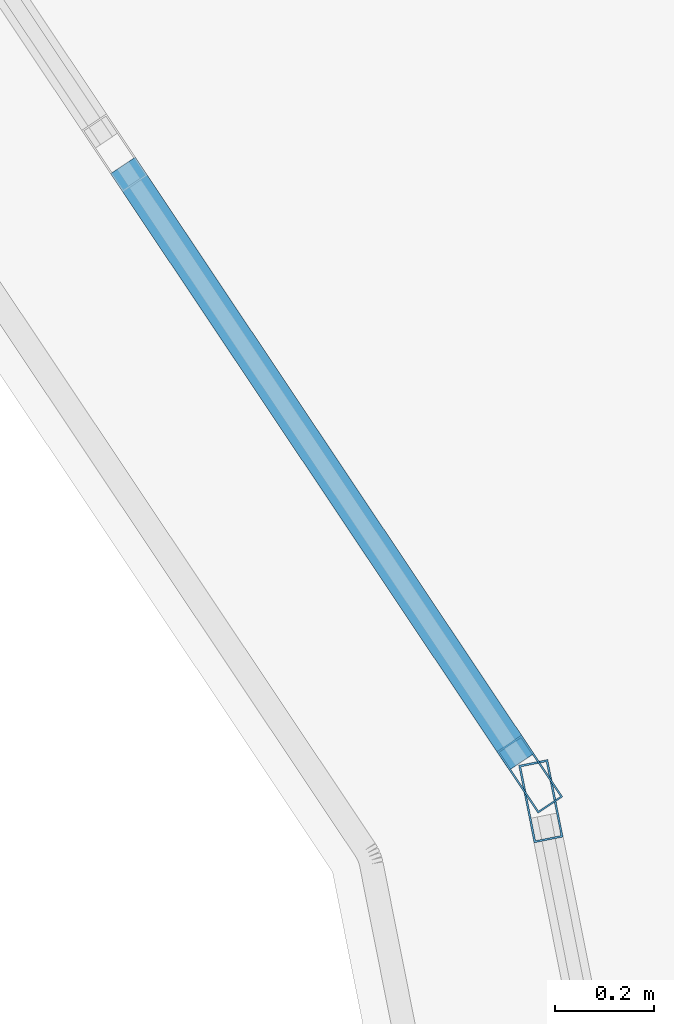
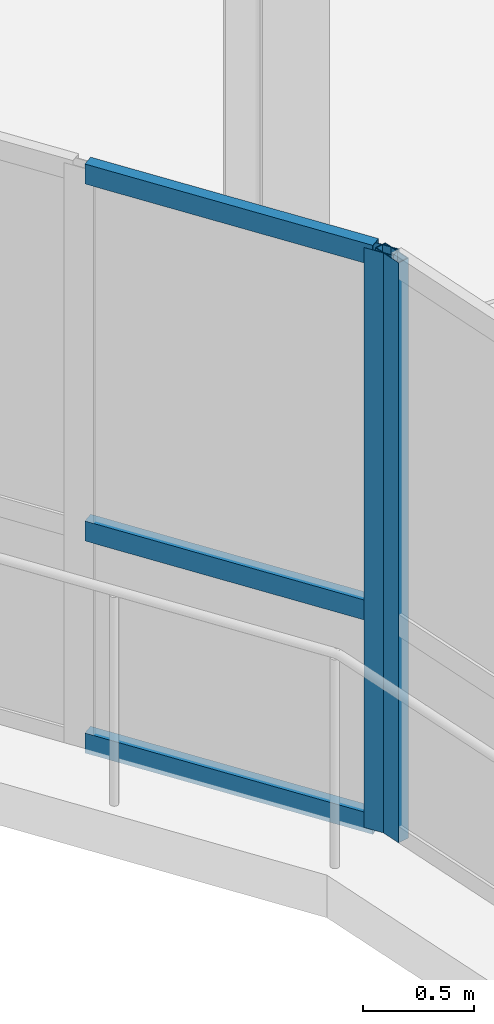
# One storey, part 18 of 103: 5 members, 2 elements without a shape of their own.
"""IFC4 building model written with IfcOpenShell, lengths in metres."""

import ifcopenshell
import ifcopenshell.guid

model = None  # the IFC model being written
_history = None  # IfcOwnerHistory: only IFC2X3 demands one
_inside = {}  # id of a spatial element -> (the spatial element, [elements in it])
_under = {}  # id of a project, library or spatial element -> (it, [spatial elements below it])
_declared = {}  # id of a project -> (the project, [libraries it declares])
_typed = {}  # id of a type object -> (the type object, [elements of that type])
_made_of = {}  # id of a material, layer set ... -> (it, [elements and type objects made of it])


def new_model(schema):
    """Start an empty IFC model of exactly this schema.

    Asked for "IFC4X3", IfcOpenShell would pick the latest addendum, in which some entities
    have other attributes; the version numbers below select the first issue.
    IFC2X3 requires an IfcOwnerHistory on every rooted entity: one is made here for all.
    """
    global model, _history
    if schema == "IFC4X3":
        model = ifcopenshell.file(schema_version=(4, 3, 0, 0))
    else:
        model = ifcopenshell.file(schema=schema)
    _inside.clear()
    _under.clear()
    _declared.clear()
    _typed.clear()
    _made_of.clear()
    _history = None
    if model.schema == "IFC2X3":
        org = make("IfcOrganization", Name="unknown")
        user = make(
            "IfcPersonAndOrganization",
            ThePerson=make("IfcPerson", FamilyName="unknown"),
            TheOrganization=org,
        )
        app = make(
            "IfcApplication",
            ApplicationDeveloper=org,
            Version="unknown",
            ApplicationFullName="unknown",
            ApplicationIdentifier="unknown",
        )
        _history = make(
            "IfcOwnerHistory",
            OwningUser=user,
            OwningApplication=app,
            ChangeAction="ADDED",
            CreationDate=0,
        )
    return model


def make(cls, **values):
    """One entity of the class cls with the attributes given. An attribute that is None is left unset."""
    return model.create_entity(
        cls, **{name: value for name, value in values.items() if value is not None}
    )


def rooted(cls, **values):
    """An entity with a GlobalId (a new one), such as an element, a storey or a relation."""
    return make(cls, GlobalId=ifcopenshell.guid.new(), OwnerHistory=_history, **values)


def si_unit(unit_type, name, prefix=None):
    """IfcSIUnit, for example si_unit("LENGTHUNIT", "METRE", prefix="MILLI")."""
    return make("IfcSIUnit", UnitType=unit_type, Prefix=prefix, Name=name)


def assignment(units):
    """IfcUnitAssignment: the units of a project."""
    return None if units is None else make("IfcUnitAssignment", Units=units)


def point(xyz):
    """IfcCartesianPoint."""
    return None if xyz is None else make("IfcCartesianPoint", Coordinates=xyz)


def direction(xyz):
    """IfcDirection."""
    return None if xyz is None else make("IfcDirection", DirectionRatios=xyz)


def frame(location, z_axis=None, x_axis=None):
    """IfcAxis2Placement3D, a coordinate frame: its origin and axes. An axis left out is left unset."""
    return make(
        "IfcAxis2Placement3D",
        Location=point(location),
        Axis=direction(z_axis),
        RefDirection=direction(x_axis),
    )


def frame_2d(location, x_axis=None):
    """IfcAxis2Placement2D, a coordinate frame in the plane: its origin and x axis."""
    return make(
        "IfcAxis2Placement2D", Location=point(location), RefDirection=direction(x_axis)
    )


def origin():
    """The frame at (0, 0, 0) with its axes left unset."""
    return frame((0.0, 0.0, 0.0))


def origin_2d():
    """The frame at (0, 0) in the plane with its x axis left unset."""
    return frame_2d((0.0, 0.0))


def place(relative_to, where):
    """IfcLocalPlacement: puts the frame where relative to a parent placement (None: the world)."""
    return make(
        "IfcLocalPlacement", PlacementRelTo=relative_to, RelativePlacement=where
    )


def context(
    kind, dimensions, precision=None, world=None, true_north=None, identifier=None
):
    """IfcGeometricRepresentationContext, for example the 3D "Model" context."""
    return make(
        "IfcGeometricRepresentationContext",
        ContextIdentifier=identifier,
        ContextType=kind,
        CoordinateSpaceDimension=dimensions,
        Precision=precision,
        WorldCoordinateSystem=world,
        TrueNorth=true_north,
    )


def subcontext(parent, identifier, kind, view, scale=None):
    """IfcGeometricRepresentationSubContext, for example "Body" below "Model"."""
    return make(
        "IfcGeometricRepresentationSubContext",
        ContextIdentifier=identifier,
        ContextType=kind,
        ParentContext=parent,
        TargetScale=scale,
        TargetView=view,
    )


def project(units=None, contexts=None):
    """IfcProject with its units and contexts."""
    return rooted(
        "IfcProject",
        Name="project",
        RepresentationContexts=contexts,
        UnitsInContext=assignment(units),
    )


def spatial(cls, under=None, at=None, **own):
    """A site, building, storey or space (cls), placed at a placement, below another one or the project."""
    s = rooted(cls, ObjectPlacement=at, **own)
    if under is not None:
        _under.setdefault(under.id(), (under, []))[1].append(s)
    return s


def profile(cls, at=None, kind="AREA", **sizes):
    """A parametric profile (cls). Its sizes go by their IFC names, for example OverallWidth=200.0."""
    return make(cls, ProfileType=kind, Position=at, **sizes)


def hollow_rectangle(**sizes):
    """IfcRectangleHollowProfileDef."""
    return profile("IfcRectangleHollowProfileDef", **sizes)


def extrude(swept, where, along, depth):
    """IfcExtrudedAreaSolid: the profile swept, set in the frame where, extruded along a direction by depth."""
    return make(
        "IfcExtrudedAreaSolid",
        SweptArea=swept,
        Position=where,
        ExtrudedDirection=direction(along),
        Depth=depth,
    )


def shape(context_of_items, identifier, shape_type, items):
    """IfcShapeRepresentation: the items that make up one representation, for example the "Body"."""
    return make(
        "IfcShapeRepresentation",
        ContextOfItems=context_of_items,
        RepresentationIdentifier=identifier,
        RepresentationType=shape_type,
        Items=items,
    )


def material(Name=None, Category=None):
    """IfcMaterial."""
    return make("IfcMaterial", Name=Name, Category=Category)


def layer(
    of_material, thickness, ventilated=None, Name=None, Category=None, Priority=None
):
    """IfcMaterialLayer: one layer of a wall or slab, of a material (None: an air gap)."""
    return make(
        "IfcMaterialLayer",
        Material=of_material,
        LayerThickness=thickness,
        IsVentilated=ventilated,
        Name=Name,
        Category=Category,
        Priority=Priority,
    )


def layer_set(layers, Name=None):
    """IfcMaterialLayerSet."""
    return make("IfcMaterialLayerSet", MaterialLayers=layers, LayerSetName=Name)


def material_profile(
    of_material, cross_section, Name=None, Category=None, Priority=None
):
    """IfcMaterialProfile: a cross section and its material."""
    return make(
        "IfcMaterialProfile",
        Name=Name,
        Material=of_material,
        Profile=cross_section,
        Priority=Priority,
        Category=Category,
    )


def profile_set(profiles, Name=None, composite=None):
    """IfcMaterialProfileSet."""
    return make(
        "IfcMaterialProfileSet",
        Name=Name,
        MaterialProfiles=profiles,
        CompositeProfile=composite,
    )


def made_of(thing, what):
    """Note that an element or type object is made of a material, layer set ...; save() writes the relation."""
    if what is not None:
        _made_of.setdefault(what.id(), (what, []))[1].append(thing)
    return thing


def type_object(cls, material=None, **own):
    """A type object (cls), such as IfcWallType, which elements share."""
    return made_of(rooted(cls, **own), material)


def element(
    cls,
    number,
    at=None,
    inside=None,
    cuts=None,
    type_object=None,
    material=None,
    context=None,
    identifier="Body",
    shape_type=None,
    held_by="IfcProductDefinitionShape",
    body=None,
    shapes=None,
    **own,
):
    """One element of the class cls, such as IfcWall. Its Tag is "e" and its number.

    at: its placement. inside: the storey or other place that contains it. cuts: it is an
    opening in that element (IfcRelVoidsElement). A single representation is given by context,
    identifier, shape_type and body (its items); several are given by shapes. held_by: the class
    of the entity that holds the representations. save() writes the other relations.
    """
    e = rooted(cls, Tag="e%d" % number, ObjectPlacement=at, **own)
    if body is not None:
        shapes = [shape(context, identifier, shape_type, body)]
    if shapes is not None:
        e.Representation = make(held_by, Representations=shapes)
    if inside is not None:
        _inside.setdefault(inside.id(), (inside, []))[1].append(e)
    if cuts is not None:
        rooted(
            "IfcRelVoidsElement", RelatingBuildingElement=cuts, RelatedOpeningElement=e
        )
    if type_object is not None:
        _typed.setdefault(type_object.id(), (type_object, []))[1].append(e)
    return made_of(e, material)


def aggregate(whole, parts):
    """IfcRelAggregates: a whole, such as a stair, and the parts it consists of."""
    return rooted("IfcRelAggregates", RelatingObject=whole, RelatedObjects=parts)


def save(model, path):
    """Write the relations noted so far, then the file.

    IfcRelAggregates (storeys below a building ...), IfcRelContainedInSpatialStructure (elements
    in a storey), IfcRelDefinesByType, IfcRelAssociatesMaterial and IfcRelDeclares: one each for
    every whole, place, type object, material and project.
    """
    for whole, parts in _under.values():
        aggregate(whole, parts)
    for where, things in _inside.values():
        rooted(
            "IfcRelContainedInSpatialStructure",
            RelatedElements=things,
            RelatingStructure=where,
        )
    for kind, things in _typed.values():
        rooted("IfcRelDefinesByType", RelatedObjects=things, RelatingType=kind)
    for what, things in _made_of.values():
        rooted("IfcRelAssociatesMaterial", RelatedObjects=things, RelatingMaterial=what)
    for by, libraries in _declared.values():
        rooted("IfcRelDeclares", RelatingContext=by, RelatedDefinitions=libraries)
    model.write(path)


model = new_model("IFC4")

# Units and contexts
model_context = context("Model", 3, precision=1e-05, world=origin(), true_north=direction((0.0, 1.0)))
body_context = subcontext(model_context, "Body", "Model", "MODEL_VIEW")
ifc_project = project(units=[si_unit("LENGTHUNIT", "METRE"), si_unit("AREAUNIT", "SQUARE_METRE"), si_unit("VOLUMEUNIT", "CUBIC_METRE"), si_unit("PLANEANGLEUNIT", "RADIAN"), si_unit("MASSUNIT", "GRAM", prefix="KILO"), si_unit("THERMODYNAMICTEMPERATUREUNIT", "KELVIN")], contexts=[model_context])

# Site, building, storey
site_placement = place(None, origin())
site = spatial("IfcSite", under=ifc_project, at=site_placement, CompositionType="ELEMENT")
building_placement = place(site_placement, origin())
building = spatial("IfcBuilding", under=site, at=building_placement, Name="Lustrewick Department Store", CompositionType="ELEMENT")
storey_placement = place(building_placement, frame((0.0, 0.0, 16.5)))
storey = spatial("IfcBuildingStorey", under=building, at=storey_placement, Name="L04", CompositionType="ELEMENT", Elevation=16.5)

# Curtain wall, member
ifc_material = material(Name="Thermally broken aluminium 6063-T5", Category="aluminium")
ifc_layer_1 = layer(ifc_material, 0.159912109375, Name="Thermally broken aluminium 6063-T5")
ifc_layer_set_1 = layer_set([ifc_layer_1], Name="Thermally broken aluminium 6063-T5")
curtain_wall_type_1 = type_object("IfcCurtainWallType", Name="CW17", PredefinedType="NOTDEFINED", material=ifc_layer_set_1)
curtain_wall_1_placement = place(storey_placement, origin())
curtain_wall_1 = element("IfcCurtainWall", 1, at=curtain_wall_1_placement, inside=storey, type_object=curtain_wall_type_1, Name="L04 Atrium Glazed Screen CW17", PredefinedType="NOTDEFINED")
ifc_material_profile_1 = material_profile(ifc_material, hollow_rectangle(XDim=0.06005859375, YDim=0.159912109375, WallThickness=0.00390625, at=origin_2d()), Name="ALU-M 60x160x4")
ifc_profile_set_1 = profile_set([ifc_material_profile_1], Name="Thermally broken aluminium 6063-T5")
member_type_1 = type_object("IfcMemberType", Name="CW17-M1", PredefinedType="MULLION", material=ifc_profile_set_1)
member_1_placement = place(storey_placement, frame((40.353759765625, 71.705322265625, 0.0), z_axis=(0.0, 0.0, 1.0), x_axis=(-0.980786430993, -0.195084537521, 0.0)))
member_1 = element("IfcMember", 2, at=member_1_placement, type_object=member_type_1, Name="CW17 mullion 4", PredefinedType="MULLION", context=body_context, shape_type="SweptSolid", body=[
    extrude(hollow_rectangle(XDim=0.06005859375, YDim=0.159912109375, WallThickness=0.00390625, at=origin_2d()), origin(), (0.0, 0.0, 1.0), 3.199951171875),
])
aggregate(curtain_wall_1, [member_1])

# Curtain wall, members
ifc_layer_2 = layer(ifc_material, 0.14990234375, Name="Thermally broken aluminium 6063-T5")
ifc_layer_set_2 = layer_set([ifc_layer_2], Name="Thermally broken aluminium 6063-T5")
curtain_wall_type_2 = type_object("IfcCurtainWallType", Name="CW18", PredefinedType="NOTDEFINED", material=ifc_layer_set_2)
curtain_wall_2_placement = place(storey_placement, origin())
curtain_wall_2 = element("IfcCurtainWall", 3, at=curtain_wall_2_placement, inside=storey, type_object=curtain_wall_type_2, Name="L04 Atrium Glazed Screen CW18", PredefinedType="NOTDEFINED")
ifc_material_profile_2 = material_profile(ifc_material, hollow_rectangle(XDim=0.06005859375, YDim=0.14990234375, WallThickness=0.00341796875, at=origin_2d()), Name="ALU-M 60x150x3.5")
ifc_profile_set_2 = profile_set([ifc_material_profile_2], Name="Thermally broken aluminium 6063-T5")
member_type_2 = type_object("IfcMemberType", Name="CW18-M1", PredefinedType="MULLION", material=ifc_profile_set_2)
member_2_placement = place(storey_placement, frame((40.331298828125, 71.759765625, 0.0), z_axis=(0.0, 0.0, 1.0), x_axis=(-0.831464212799, -0.555578313862, 0.0)))
member_2 = element("IfcMember", 4, at=member_2_placement, type_object=member_type_2, Name="CW18 mullion 1", PredefinedType="MULLION", context=body_context, shape_type="SweptSolid", body=[
    extrude(hollow_rectangle(XDim=0.06005859375, YDim=0.14990234375, WallThickness=0.00341796875, at=origin_2d()), origin(), (0.0, 0.0, 1.0), 3.199951171875),
])
ifc_material_profile_3 = material_profile(ifc_material, hollow_rectangle(XDim=0.06005859375, YDim=0.110107421875, WallThickness=0.0029296875, at=origin_2d()), Name="ALU-T 60x110x3")
ifc_profile_set_3 = profile_set([ifc_material_profile_3], Name="Thermally broken aluminium 6063-T5")
member_type_3 = type_object("IfcMemberType", Name="CW18-T1", PredefinedType="USERDEFINED", material=ifc_profile_set_3)
member_3_placement = place(storey_placement, frame((40.314697265625, 71.78466796875, 0.030029296875), z_axis=(-0.555670388234, 0.831402682002, 0.0), x_axis=(-0.831402682002, -0.555670388234, 0.0)))
member_3 = element("IfcMember", 5, at=member_3_placement, type_object=member_type_3, Name="CW18 transom 1.1", ObjectType="TRANSOM", PredefinedType="USERDEFINED", context=body_context, shape_type="SweptSolid", body=[
    extrude(hollow_rectangle(XDim=0.06005859375, YDim=0.110107421875, WallThickness=0.0029296875, at=origin_2d()), origin(), (0.0, 0.0, 1.0), 1.451171875),
])
member_4_placement = place(storey_placement, frame((40.314697265625, 71.78466796875, 1.199951171875), z_axis=(-0.555670388234, 0.831402682002, 0.0), x_axis=(-0.831402682002, -0.555670388234, 0.0)))
member_4 = element("IfcMember", 6, at=member_4_placement, type_object=member_type_3, Name="CW18 transom 1.2", ObjectType="TRANSOM", PredefinedType="USERDEFINED", context=body_context, shape_type="SweptSolid", body=[
    extrude(hollow_rectangle(XDim=0.06005859375, YDim=0.110107421875, WallThickness=0.0029296875, at=origin_2d()), origin(), (0.0, 0.0, 1.0), 1.451171875),
])
member_5_placement = place(storey_placement, frame((40.314697265625, 71.78466796875, 3.169921875), z_axis=(-0.555670388234, 0.831402682002, 0.0), x_axis=(-0.831402682002, -0.555670388234, 0.0)))
member_5 = element("IfcMember", 7, at=member_5_placement, type_object=member_type_3, Name="CW18 transom 1.3", ObjectType="TRANSOM", PredefinedType="USERDEFINED", context=body_context, shape_type="SweptSolid", body=[
    extrude(hollow_rectangle(XDim=0.06005859375, YDim=0.110107421875, WallThickness=0.0029296875, at=origin_2d()), origin(), (0.0, 0.0, 1.0), 1.451171875),
])
aggregate(curtain_wall_2, [member_2, member_3, member_4, member_5])

save(model, "model.ifc")
